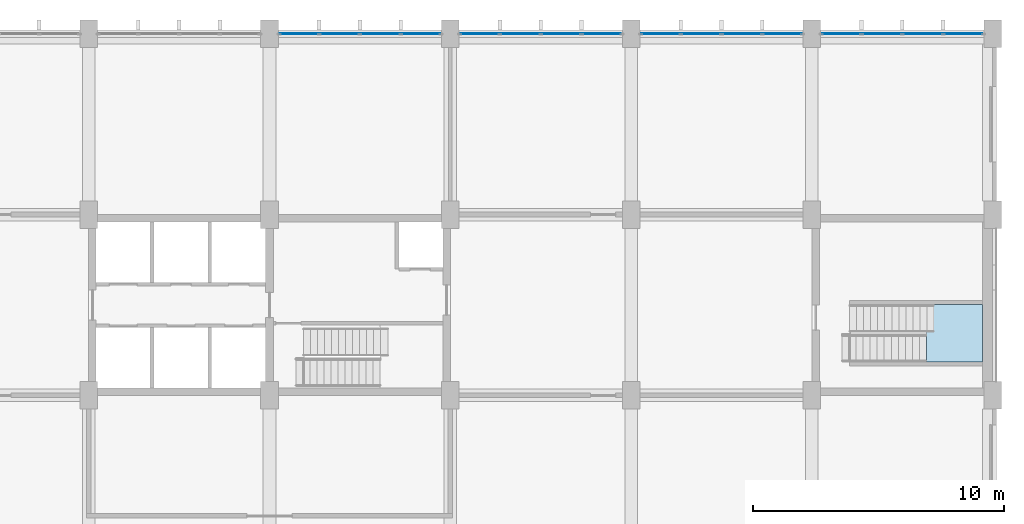
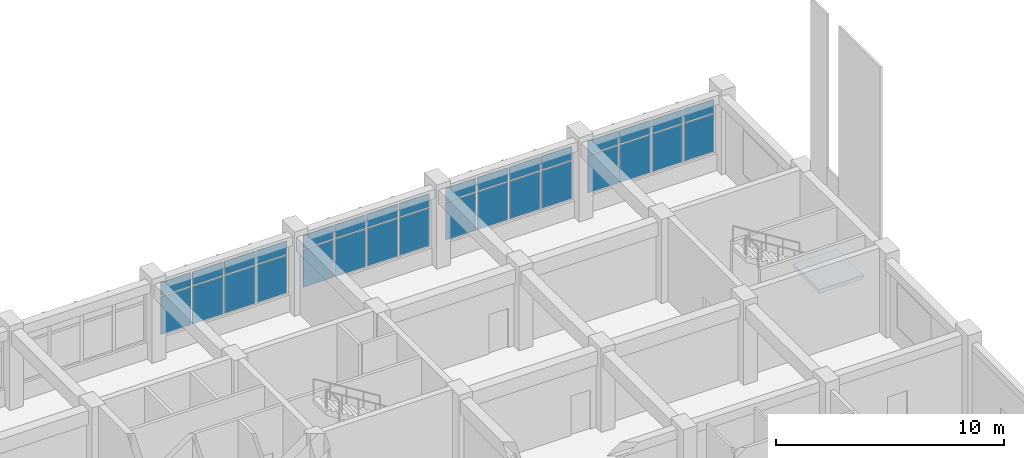
# One storey, part 31 of 52: 32 plates, 1 slab, 5 elements without a shape of their own.
"""IFC4 building model written with IfcOpenShell, lengths in metres."""

from ifc_helpers import new_model, si_unit, direction, frame, origin, origin_2d, place, context, subcontext, project, spatial, polyline, rectangle, outline, extrude, material, layer, layer_set, type_object, element, aggregate, save


model = new_model("IFC4")

# Units and contexts
model_context = context("Model", 3, precision=1e-05, world=origin(), true_north=direction((0.0, 1.0)))
body_context = subcontext(model_context, "Body", "Model", "MODEL_VIEW")
ifc_project = project(units=[si_unit("LENGTHUNIT", "METRE"), si_unit("AREAUNIT", "SQUARE_METRE"), si_unit("VOLUMEUNIT", "CUBIC_METRE"), si_unit("PLANEANGLEUNIT", "RADIAN"), si_unit("MASSUNIT", "GRAM", prefix="KILO")], contexts=[model_context])

# Site, building, storey
site_placement = place(None, origin())
site = spatial("IfcSite", under=ifc_project, at=site_placement, CompositionType="ELEMENT")
building_placement = place(site_placement, origin())
building = spatial("IfcBuilding", under=site, at=building_placement, Name="Vermilion Court Aquatics Centre", CompositionType="ELEMENT")
storey_placement = place(building_placement, frame((0.0, 0.0, 12.0)))
storey = spatial("IfcBuildingStorey", under=building, at=storey_placement, Name="L02", CompositionType="ELEMENT", Elevation=12.0)

# Stair, slab
ifc_material_1 = material(Name="Concrete 5000 psi", Category="concrete")
stair_type = type_object("IfcStairType", Name="North block exit stair 1130", PredefinedType="HALF_TURN_STAIR", material=ifc_material_1)
stair_placement = place(storey_placement, origin())
stair = element("IfcStair", 1, at=stair_placement, inside=storey, type_object=stair_type, Name="Exit stair ST-T2 L02", PredefinedType="HALF_TURN_STAIR")
ifc_material_2 = material(Name="Concrete 5000 psi", Category="concrete")
ifc_layer_1 = layer(ifc_material_2, 0.199951171875)
ifc_layer_set_1 = layer_set([ifc_layer_1], Name="North block stair landing 200")
slab_type = type_object("IfcSlabType", Name="North block stair landing 200", PredefinedType="LANDING", material=ifc_layer_set_1)
slab_placement = place(storey_placement, frame((0.0, 0.0, 2.050048828125)))
slab = element("IfcSlab", 2, at=slab_placement, type_object=slab_type, Name="ST-T2 landing 1", PredefinedType="LANDING", context=body_context, shape_type="SweptSolid", body=[
    extrude(outline(polyline([(191.760009765625, 102.1298828125), (194.0, 102.1298828125), (194.0, 104.429931640625), (191.760009765625, 104.429931640625), (191.760009765625, 102.1298828125)])), origin(), (0.0, 0.0, 1.0), 0.199951171875),
])
aggregate(stair, [slab])

# Curtain wall, plates
ifc_material_3 = material(Name="Aluminium 6063-T5", Category="aluminium")
ifc_layer_2 = layer(ifc_material_3, 0.14990234375)
ifc_layer_set_2 = layer_set([ifc_layer_2], Name="Podium curtain wall bay, 1800 module")
curtain_wall_type = type_object("IfcCurtainWallType", Name="Podium curtain wall bay, 1800 module", PredefinedType="NOTDEFINED", material=ifc_layer_set_2)
curtain_wall_1_placement = place(storey_placement, origin())
curtain_wall_1 = element("IfcCurtainWall", 3, at=curtain_wall_1_placement, inside=storey, type_object=curtain_wall_type, Name="Curtain wall L02", PredefinedType="NOTDEFINED")
ifc_material_4 = material(Name="Glazing", Category="glass")
ifc_layer_3 = layer(ifc_material_4, 0.028076171875)
ifc_layer_set_3 = layer_set([ifc_layer_3], Name="Podium curtain wall glass panel 28")
plate_type = type_object("IfcPlateType", Name="Podium curtain wall glass panel 28", PredefinedType="CURTAIN_PANEL", material=ifc_layer_set_3)
plate_1_placement = place(storey_placement, frame((166.777587890625, 115.199951171875, 0.9599609375), z_axis=(0.0, 0.0, 1.0), x_axis=(1.0, 0.0, 0.0)))
plate_1 = element("IfcPlate", 4, at=plate_1_placement, type_object=plate_type, Name="PG2 panel 1.1", PredefinedType="CURTAIN_PANEL", context=body_context, shape_type="SweptSolid", body=[
    extrude(rectangle(XDim=1.534912109375, YDim=0.028076171875, at=origin_2d()), origin(), (0.0, 0.0, 1.0), 2.010009765625),
])
plate_2_placement = place(storey_placement, frame((166.777587890625, 115.199951171875, 3.030029296875), z_axis=(0.0, 0.0, 1.0), x_axis=(1.0, 0.0, 0.0)))
plate_2 = element("IfcPlate", 5, at=plate_2_placement, type_object=plate_type, Name="PG2 panel 1.2", PredefinedType="CURTAIN_PANEL", context=body_context, shape_type="SweptSolid", body=[
    extrude(rectangle(XDim=1.534912109375, YDim=0.028076171875, at=origin_2d()), origin(), (0.0, 0.0, 1.0), 0.7099609375),
])
plate_3_placement = place(storey_placement, frame((168.387451171875, 115.199951171875, 0.9599609375), z_axis=(0.0, 0.0, 1.0), x_axis=(1.0, 0.0, 0.0)))
plate_3 = element("IfcPlate", 6, at=plate_3_placement, type_object=plate_type, Name="PG2 panel 2.1", PredefinedType="CURTAIN_PANEL", context=body_context, shape_type="SweptSolid", body=[
    extrude(rectangle(XDim=1.56494140625, YDim=0.028076171875, at=origin_2d()), origin(), (0.0, 0.0, 1.0), 2.010009765625),
])
plate_4_placement = place(storey_placement, frame((168.387451171875, 115.199951171875, 3.030029296875), z_axis=(0.0, 0.0, 1.0), x_axis=(1.0, 0.0, 0.0)))
plate_4 = element("IfcPlate", 7, at=plate_4_placement, type_object=plate_type, Name="PG2 panel 2.2", PredefinedType="CURTAIN_PANEL", context=body_context, shape_type="SweptSolid", body=[
    extrude(rectangle(XDim=1.56494140625, YDim=0.028076171875, at=origin_2d()), origin(), (0.0, 0.0, 1.0), 0.7099609375),
])
plate_5_placement = place(storey_placement, frame((170.012451171875, 115.199951171875, 0.9599609375), z_axis=(0.0, 0.0, 1.0), x_axis=(1.0, 0.0, 0.0)))
plate_5 = element("IfcPlate", 8, at=plate_5_placement, type_object=plate_type, Name="PG2 panel 3.1", PredefinedType="CURTAIN_PANEL", context=body_context, shape_type="SweptSolid", body=[
    extrude(rectangle(XDim=1.56494140625, YDim=0.028076171875, at=origin_2d()), origin(), (0.0, 0.0, 1.0), 2.010009765625),
])
plate_6_placement = place(storey_placement, frame((170.012451171875, 115.199951171875, 3.030029296875), z_axis=(0.0, 0.0, 1.0), x_axis=(1.0, 0.0, 0.0)))
plate_6 = element("IfcPlate", 9, at=plate_6_placement, type_object=plate_type, Name="PG2 panel 3.2", PredefinedType="CURTAIN_PANEL", context=body_context, shape_type="SweptSolid", body=[
    extrude(rectangle(XDim=1.56494140625, YDim=0.028076171875, at=origin_2d()), origin(), (0.0, 0.0, 1.0), 0.7099609375),
])
plate_7_placement = place(storey_placement, frame((171.62255859375, 115.199951171875, 0.9599609375), z_axis=(0.0, 0.0, 1.0), x_axis=(1.0, 0.0, 0.0)))
plate_7 = element("IfcPlate", 10, at=plate_7_placement, type_object=plate_type, Name="PG2 panel 4.1", PredefinedType="CURTAIN_PANEL", context=body_context, shape_type="SweptSolid", body=[
    extrude(rectangle(XDim=1.534912109375, YDim=0.028076171875, at=origin_2d()), origin(), (0.0, 0.0, 1.0), 2.010009765625),
])
plate_8_placement = place(storey_placement, frame((171.62255859375, 115.199951171875, 3.030029296875), z_axis=(0.0, 0.0, 1.0), x_axis=(1.0, 0.0, 0.0)))
plate_8 = element("IfcPlate", 11, at=plate_8_placement, type_object=plate_type, Name="PG2 panel 4.2", PredefinedType="CURTAIN_PANEL", context=body_context, shape_type="SweptSolid", body=[
    extrude(rectangle(XDim=1.534912109375, YDim=0.028076171875, at=origin_2d()), origin(), (0.0, 0.0, 1.0), 0.7099609375),
])
aggregate(curtain_wall_1, [plate_1, plate_2, plate_3, plate_4, plate_5, plate_6, plate_7, plate_8])

curtain_wall_2_placement = place(storey_placement, origin())
curtain_wall_2 = element("IfcCurtainWall", 12, at=curtain_wall_2_placement, inside=storey, type_object=curtain_wall_type, Name="Curtain wall L02", PredefinedType="NOTDEFINED")
plate_9_placement = place(storey_placement, frame((173.9775390625, 115.199951171875, 0.9599609375), z_axis=(0.0, 0.0, 1.0), x_axis=(1.0, 0.0, 0.0)))
plate_9 = element("IfcPlate", 13, at=plate_9_placement, type_object=plate_type, Name="PG2 panel 1.1", PredefinedType="CURTAIN_PANEL", context=body_context, shape_type="SweptSolid", body=[
    extrude(rectangle(XDim=1.534912109375, YDim=0.028076171875, at=origin_2d()), origin(), (0.0, 0.0, 1.0), 2.010009765625),
])
plate_10_placement = place(storey_placement, frame((173.9775390625, 115.199951171875, 3.030029296875), z_axis=(0.0, 0.0, 1.0), x_axis=(1.0, 0.0, 0.0)))
plate_10 = element("IfcPlate", 14, at=plate_10_placement, type_object=plate_type, Name="PG2 panel 1.2", PredefinedType="CURTAIN_PANEL", context=body_context, shape_type="SweptSolid", body=[
    extrude(rectangle(XDim=1.534912109375, YDim=0.028076171875, at=origin_2d()), origin(), (0.0, 0.0, 1.0), 0.7099609375),
])
plate_11_placement = place(storey_placement, frame((175.58740234375, 115.199951171875, 0.9599609375), z_axis=(0.0, 0.0, 1.0), x_axis=(1.0, 0.0, 0.0)))
plate_11 = element("IfcPlate", 15, at=plate_11_placement, type_object=plate_type, Name="PG2 panel 2.1", PredefinedType="CURTAIN_PANEL", context=body_context, shape_type="SweptSolid", body=[
    extrude(rectangle(XDim=1.56494140625, YDim=0.028076171875, at=origin_2d()), origin(), (0.0, 0.0, 1.0), 2.010009765625),
])
plate_12_placement = place(storey_placement, frame((175.58740234375, 115.199951171875, 3.030029296875), z_axis=(0.0, 0.0, 1.0), x_axis=(1.0, 0.0, 0.0)))
plate_12 = element("IfcPlate", 16, at=plate_12_placement, type_object=plate_type, Name="PG2 panel 2.2", PredefinedType="CURTAIN_PANEL", context=body_context, shape_type="SweptSolid", body=[
    extrude(rectangle(XDim=1.56494140625, YDim=0.028076171875, at=origin_2d()), origin(), (0.0, 0.0, 1.0), 0.7099609375),
])
plate_13_placement = place(storey_placement, frame((177.21240234375, 115.199951171875, 0.9599609375), z_axis=(0.0, 0.0, 1.0), x_axis=(1.0, 0.0, 0.0)))
plate_13 = element("IfcPlate", 17, at=plate_13_placement, type_object=plate_type, Name="PG2 panel 3.1", PredefinedType="CURTAIN_PANEL", context=body_context, shape_type="SweptSolid", body=[
    extrude(rectangle(XDim=1.56494140625, YDim=0.028076171875, at=origin_2d()), origin(), (0.0, 0.0, 1.0), 2.010009765625),
])
plate_14_placement = place(storey_placement, frame((177.21240234375, 115.199951171875, 3.030029296875), z_axis=(0.0, 0.0, 1.0), x_axis=(1.0, 0.0, 0.0)))
plate_14 = element("IfcPlate", 18, at=plate_14_placement, type_object=plate_type, Name="PG2 panel 3.2", PredefinedType="CURTAIN_PANEL", context=body_context, shape_type="SweptSolid", body=[
    extrude(rectangle(XDim=1.56494140625, YDim=0.028076171875, at=origin_2d()), origin(), (0.0, 0.0, 1.0), 0.7099609375),
])
plate_15_placement = place(storey_placement, frame((178.822509765625, 115.199951171875, 0.9599609375), z_axis=(0.0, 0.0, 1.0), x_axis=(1.0, 0.0, 0.0)))
plate_15 = element("IfcPlate", 19, at=plate_15_placement, type_object=plate_type, Name="PG2 panel 4.1", PredefinedType="CURTAIN_PANEL", context=body_context, shape_type="SweptSolid", body=[
    extrude(rectangle(XDim=1.534912109375, YDim=0.028076171875, at=origin_2d()), origin(), (0.0, 0.0, 1.0), 2.010009765625),
])
plate_16_placement = place(storey_placement, frame((178.822509765625, 115.199951171875, 3.030029296875), z_axis=(0.0, 0.0, 1.0), x_axis=(1.0, 0.0, 0.0)))
plate_16 = element("IfcPlate", 20, at=plate_16_placement, type_object=plate_type, Name="PG2 panel 4.2", PredefinedType="CURTAIN_PANEL", context=body_context, shape_type="SweptSolid", body=[
    extrude(rectangle(XDim=1.534912109375, YDim=0.028076171875, at=origin_2d()), origin(), (0.0, 0.0, 1.0), 0.7099609375),
])
aggregate(curtain_wall_2, [plate_9, plate_10, plate_11, plate_12, plate_13, plate_14, plate_15, plate_16])

curtain_wall_3_placement = place(storey_placement, origin())
curtain_wall_3 = element("IfcCurtainWall", 21, at=curtain_wall_3_placement, inside=storey, type_object=curtain_wall_type, Name="Curtain wall L02", PredefinedType="NOTDEFINED")
plate_17_placement = place(storey_placement, frame((181.177490234375, 115.199951171875, 0.9599609375), z_axis=(0.0, 0.0, 1.0), x_axis=(1.0, 0.0, 0.0)))
plate_17 = element("IfcPlate", 22, at=plate_17_placement, type_object=plate_type, Name="PG2 panel 1.1", PredefinedType="CURTAIN_PANEL", context=body_context, shape_type="SweptSolid", body=[
    extrude(rectangle(XDim=1.534912109375, YDim=0.028076171875, at=origin_2d()), origin(), (0.0, 0.0, 1.0), 2.010009765625),
])
plate_18_placement = place(storey_placement, frame((181.177490234375, 115.199951171875, 3.030029296875), z_axis=(0.0, 0.0, 1.0), x_axis=(1.0, 0.0, 0.0)))
plate_18 = element("IfcPlate", 23, at=plate_18_placement, type_object=plate_type, Name="PG2 panel 1.2", PredefinedType="CURTAIN_PANEL", context=body_context, shape_type="SweptSolid", body=[
    extrude(rectangle(XDim=1.534912109375, YDim=0.028076171875, at=origin_2d()), origin(), (0.0, 0.0, 1.0), 0.7099609375),
])
plate_19_placement = place(storey_placement, frame((182.78759765625, 115.199951171875, 0.9599609375), z_axis=(0.0, 0.0, 1.0), x_axis=(1.0, 0.0, 0.0)))
plate_19 = element("IfcPlate", 24, at=plate_19_placement, type_object=plate_type, Name="PG2 panel 2.1", PredefinedType="CURTAIN_PANEL", context=body_context, shape_type="SweptSolid", body=[
    extrude(rectangle(XDim=1.56494140625, YDim=0.028076171875, at=origin_2d()), origin(), (0.0, 0.0, 1.0), 2.010009765625),
])
plate_20_placement = place(storey_placement, frame((182.78759765625, 115.199951171875, 3.030029296875), z_axis=(0.0, 0.0, 1.0), x_axis=(1.0, 0.0, 0.0)))
plate_20 = element("IfcPlate", 25, at=plate_20_placement, type_object=plate_type, Name="PG2 panel 2.2", PredefinedType="CURTAIN_PANEL", context=body_context, shape_type="SweptSolid", body=[
    extrude(rectangle(XDim=1.56494140625, YDim=0.028076171875, at=origin_2d()), origin(), (0.0, 0.0, 1.0), 0.7099609375),
])
plate_21_placement = place(storey_placement, frame((184.41259765625, 115.199951171875, 0.9599609375), z_axis=(0.0, 0.0, 1.0), x_axis=(1.0, 0.0, 0.0)))
plate_21 = element("IfcPlate", 26, at=plate_21_placement, type_object=plate_type, Name="PG2 panel 3.1", PredefinedType="CURTAIN_PANEL", context=body_context, shape_type="SweptSolid", body=[
    extrude(rectangle(XDim=1.56494140625, YDim=0.028076171875, at=origin_2d()), origin(), (0.0, 0.0, 1.0), 2.010009765625),
])
plate_22_placement = place(storey_placement, frame((184.41259765625, 115.199951171875, 3.030029296875), z_axis=(0.0, 0.0, 1.0), x_axis=(1.0, 0.0, 0.0)))
plate_22 = element("IfcPlate", 27, at=plate_22_placement, type_object=plate_type, Name="PG2 panel 3.2", PredefinedType="CURTAIN_PANEL", context=body_context, shape_type="SweptSolid", body=[
    extrude(rectangle(XDim=1.56494140625, YDim=0.028076171875, at=origin_2d()), origin(), (0.0, 0.0, 1.0), 0.7099609375),
])
plate_23_placement = place(storey_placement, frame((186.0224609375, 115.199951171875, 0.9599609375), z_axis=(0.0, 0.0, 1.0), x_axis=(1.0, 0.0, 0.0)))
plate_23 = element("IfcPlate", 28, at=plate_23_placement, type_object=plate_type, Name="PG2 panel 4.1", PredefinedType="CURTAIN_PANEL", context=body_context, shape_type="SweptSolid", body=[
    extrude(rectangle(XDim=1.534912109375, YDim=0.028076171875, at=origin_2d()), origin(), (0.0, 0.0, 1.0), 2.010009765625),
])
plate_24_placement = place(storey_placement, frame((186.0224609375, 115.199951171875, 3.030029296875), z_axis=(0.0, 0.0, 1.0), x_axis=(1.0, 0.0, 0.0)))
plate_24 = element("IfcPlate", 29, at=plate_24_placement, type_object=plate_type, Name="PG2 panel 4.2", PredefinedType="CURTAIN_PANEL", context=body_context, shape_type="SweptSolid", body=[
    extrude(rectangle(XDim=1.534912109375, YDim=0.028076171875, at=origin_2d()), origin(), (0.0, 0.0, 1.0), 0.7099609375),
])
aggregate(curtain_wall_3, [plate_17, plate_18, plate_19, plate_20, plate_21, plate_22, plate_23, plate_24])

curtain_wall_4_placement = place(storey_placement, origin())
curtain_wall_4 = element("IfcCurtainWall", 30, at=curtain_wall_4_placement, inside=storey, type_object=curtain_wall_type, Name="Curtain wall L02", PredefinedType="NOTDEFINED")
plate_25_placement = place(storey_placement, frame((188.37744140625, 115.199951171875, 0.9599609375), z_axis=(0.0, 0.0, 1.0), x_axis=(1.0, 0.0, 0.0)))
plate_25 = element("IfcPlate", 31, at=plate_25_placement, type_object=plate_type, Name="PG2 panel 1.1", PredefinedType="CURTAIN_PANEL", context=body_context, shape_type="SweptSolid", body=[
    extrude(rectangle(XDim=1.534912109375, YDim=0.028076171875, at=origin_2d()), origin(), (0.0, 0.0, 1.0), 2.010009765625),
])
plate_26_placement = place(storey_placement, frame((188.37744140625, 115.199951171875, 3.030029296875), z_axis=(0.0, 0.0, 1.0), x_axis=(1.0, 0.0, 0.0)))
plate_26 = element("IfcPlate", 32, at=plate_26_placement, type_object=plate_type, Name="PG2 panel 1.2", PredefinedType="CURTAIN_PANEL", context=body_context, shape_type="SweptSolid", body=[
    extrude(rectangle(XDim=1.534912109375, YDim=0.028076171875, at=origin_2d()), origin(), (0.0, 0.0, 1.0), 0.7099609375),
])
plate_27_placement = place(storey_placement, frame((189.987548828125, 115.199951171875, 0.9599609375), z_axis=(0.0, 0.0, 1.0), x_axis=(1.0, 0.0, 0.0)))
plate_27 = element("IfcPlate", 33, at=plate_27_placement, type_object=plate_type, Name="PG2 panel 2.1", PredefinedType="CURTAIN_PANEL", context=body_context, shape_type="SweptSolid", body=[
    extrude(rectangle(XDim=1.56494140625, YDim=0.028076171875, at=origin_2d()), origin(), (0.0, 0.0, 1.0), 2.010009765625),
])
plate_28_placement = place(storey_placement, frame((189.987548828125, 115.199951171875, 3.030029296875), z_axis=(0.0, 0.0, 1.0), x_axis=(1.0, 0.0, 0.0)))
plate_28 = element("IfcPlate", 34, at=plate_28_placement, type_object=plate_type, Name="PG2 panel 2.2", PredefinedType="CURTAIN_PANEL", context=body_context, shape_type="SweptSolid", body=[
    extrude(rectangle(XDim=1.56494140625, YDim=0.028076171875, at=origin_2d()), origin(), (0.0, 0.0, 1.0), 0.7099609375),
])
plate_29_placement = place(storey_placement, frame((191.612548828125, 115.199951171875, 0.9599609375), z_axis=(0.0, 0.0, 1.0), x_axis=(1.0, 0.0, 0.0)))
plate_29 = element("IfcPlate", 35, at=plate_29_placement, type_object=plate_type, Name="PG2 panel 3.1", PredefinedType="CURTAIN_PANEL", context=body_context, shape_type="SweptSolid", body=[
    extrude(rectangle(XDim=1.56494140625, YDim=0.028076171875, at=origin_2d()), origin(), (0.0, 0.0, 1.0), 2.010009765625),
])
plate_30_placement = place(storey_placement, frame((191.612548828125, 115.199951171875, 3.030029296875), z_axis=(0.0, 0.0, 1.0), x_axis=(1.0, 0.0, 0.0)))
plate_30 = element("IfcPlate", 36, at=plate_30_placement, type_object=plate_type, Name="PG2 panel 3.2", PredefinedType="CURTAIN_PANEL", context=body_context, shape_type="SweptSolid", body=[
    extrude(rectangle(XDim=1.56494140625, YDim=0.028076171875, at=origin_2d()), origin(), (0.0, 0.0, 1.0), 0.7099609375),
])
plate_31_placement = place(storey_placement, frame((193.222412109375, 115.199951171875, 0.9599609375), z_axis=(0.0, 0.0, 1.0), x_axis=(1.0, 0.0, 0.0)))
plate_31 = element("IfcPlate", 37, at=plate_31_placement, type_object=plate_type, Name="PG2 panel 4.1", PredefinedType="CURTAIN_PANEL", context=body_context, shape_type="SweptSolid", body=[
    extrude(rectangle(XDim=1.534912109375, YDim=0.028076171875, at=origin_2d()), origin(), (0.0, 0.0, 1.0), 2.010009765625),
])
plate_32_placement = place(storey_placement, frame((193.222412109375, 115.199951171875, 3.030029296875), z_axis=(0.0, 0.0, 1.0), x_axis=(1.0, 0.0, 0.0)))
plate_32 = element("IfcPlate", 38, at=plate_32_placement, type_object=plate_type, Name="PG2 panel 4.2", PredefinedType="CURTAIN_PANEL", context=body_context, shape_type="SweptSolid", body=[
    extrude(rectangle(XDim=1.534912109375, YDim=0.028076171875, at=origin_2d()), origin(), (0.0, 0.0, 1.0), 0.7099609375),
])
aggregate(curtain_wall_4, [plate_25, plate_26, plate_27, plate_28, plate_29, plate_30, plate_31, plate_32])

save(model, "model.ifc")
